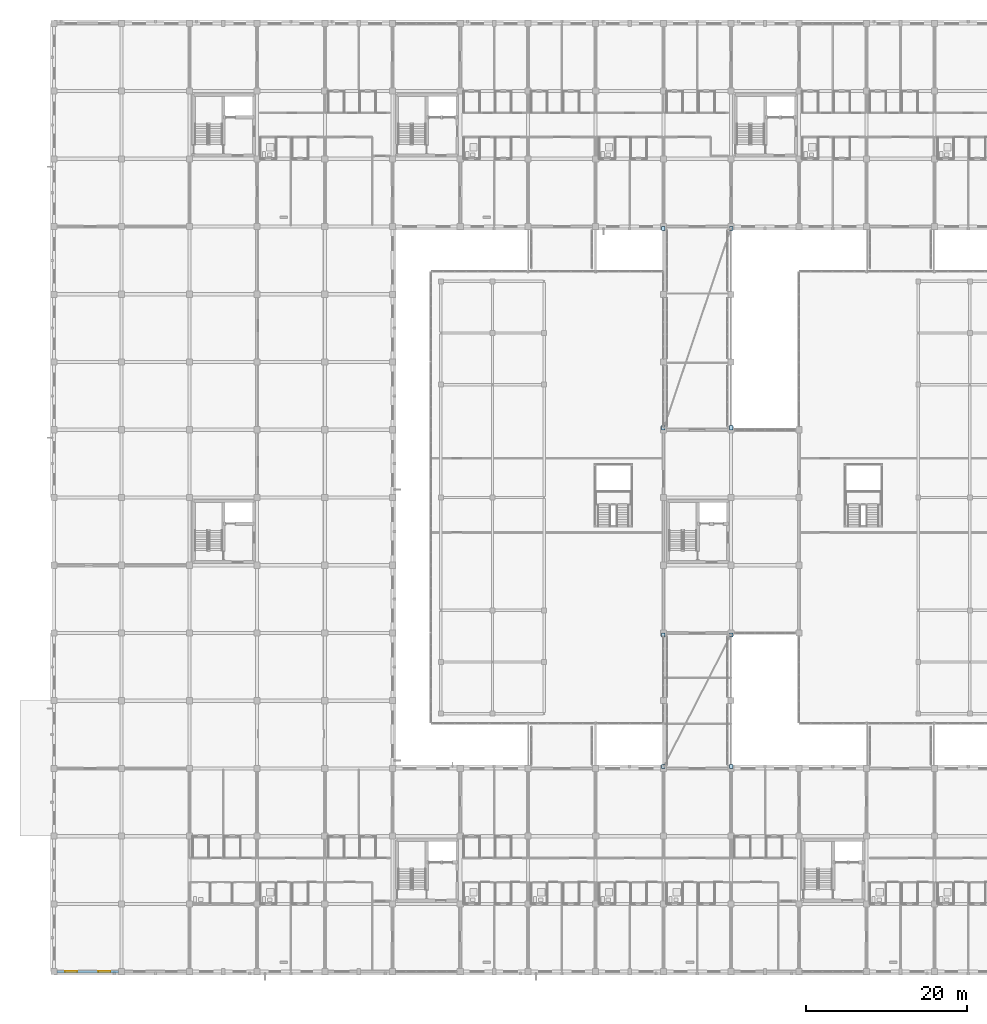
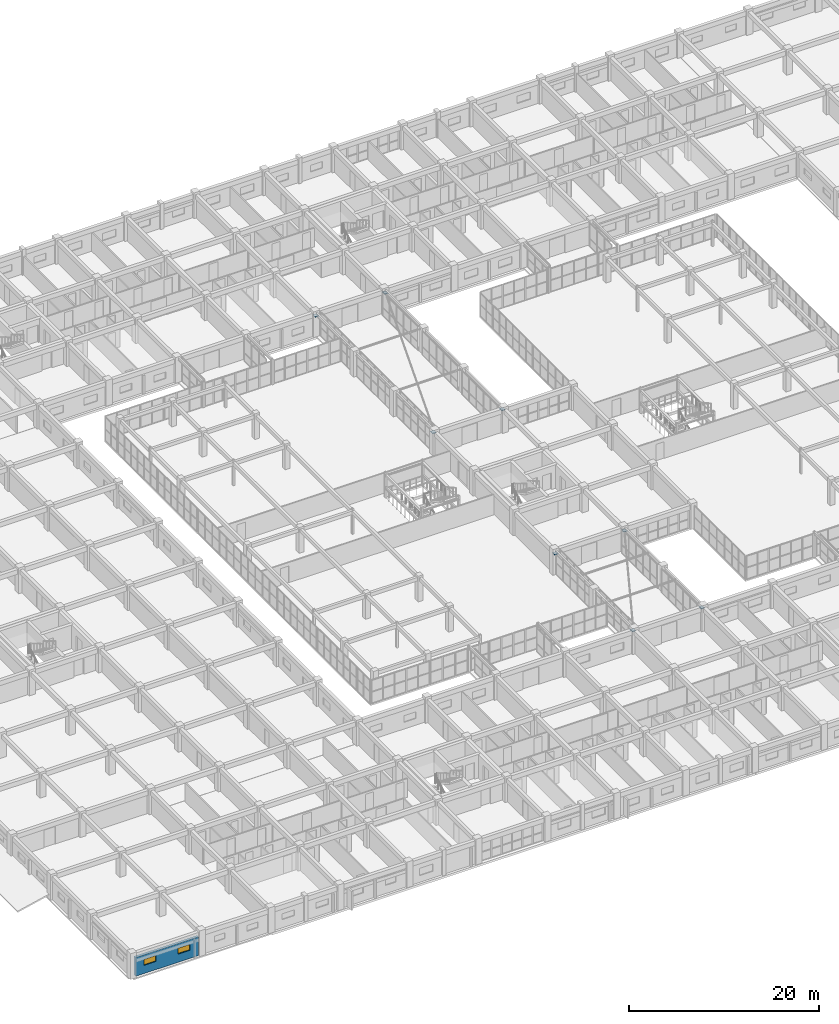
# One storey, part 161 of 200: 8 plates, 2 windows, 1 wall, 2 openings.
"""IFC4 building model written with IfcOpenShell, lengths in metres."""

from ifc_helpers import new_model, si_unit, direction, frame, frame_2d, origin, origin_2d, place, context, subcontext, project, spatial, rectangle, extrude, material, layer, layer_set, type_object, element, fill, save


model = new_model("IFC4")

# Units and contexts
model_context = context("Model", 3, precision=1e-05, world=origin(), true_north=direction((0.0, 1.0)))
body_context = subcontext(model_context, "Body", "Model", "MODEL_VIEW")
ifc_project = project(units=[si_unit("LENGTHUNIT", "METRE"), si_unit("AREAUNIT", "SQUARE_METRE"), si_unit("VOLUMEUNIT", "CUBIC_METRE"), si_unit("PLANEANGLEUNIT", "RADIAN"), si_unit("MASSUNIT", "GRAM", prefix="KILO")], contexts=[model_context])

# Site, building, storey
site_placement = place(None, origin())
site = spatial("IfcSite", under=ifc_project, at=site_placement, CompositionType="ELEMENT")
building_placement = place(site_placement, origin())
building = spatial("IfcBuilding", under=site, at=building_placement, Name="Trelvath General Hospital", CompositionType="ELEMENT")
storey_placement = place(building_placement, frame((0.0, 0.0, 4.800048828125)))
storey = spatial("IfcBuildingStorey", under=building, at=storey_placement, Name="L01", CompositionType="ELEMENT", Elevation=4.800048828125)

# Plates
ifc_material_1 = material(Name="Steel S355", Category="steel")
ifc_layer_1 = layer(ifc_material_1, 0.01611328125)
ifc_layer_set_1 = layer_set([ifc_layer_1], Name="Steel S355")
plate_type = type_object("IfcPlateType", Name="BearingPlate Steel16", PredefinedType="SHEET", material=ifc_layer_set_1)
for number, where, z_axis, x_axis, name in (
    (1, (75.60009765625, 67.449951171875, 2.643798828125), (0.0, 0.0, 1.0), (1.0, 0.0, 0.0), "Bridge Sliding Seat Plate BRG-N-C W-S L02"),
    (2, (75.60009765625, 92.14990234375, 2.643798828125), (0.0, 0.0, 1.0), (1.0, 0.0, 0.0), "Bridge Sliding Seat Plate BRG-N-C W-N L02"),
    (3, (84.0, 67.449951171875, 2.643798828125), (0.0, 0.0, 1.0), (1.0, 0.0, 0.0), "Bridge Sliding Seat Plate BRG-N-C E-S L02"),
    (4, (84.0, 92.14990234375, 2.643798828125), (0.0, 0.0, 1.0), (1.0, 0.0, 0.0), "Bridge Sliding Seat Plate BRG-N-C E-N L02"),
    (5, (75.60009765625, 25.449951171875, 2.643798828125), (0.0, 0.0, 1.0), (1.0, 0.0, 0.0), "Bridge Sliding Seat Plate BRG-S-C W-S L02"),
    (6, (75.60009765625, 41.75, 2.643798828125), (0.0, 0.0, 1.0), (1.0, 0.0, 0.0), "Bridge Sliding Seat Plate BRG-S-C W-N L02"),
    (7, (84.0, 25.449951171875, 2.643798828125), (0.0, 0.0, 1.0), (1.0, 0.0, 0.0), "Bridge Sliding Seat Plate BRG-S-C E-S L02"),
    (8, (84.0, 41.75, 2.643798828125), (0.0, 0.0, 1.0), (1.0, 0.0, 0.0), "Bridge Sliding Seat Plate BRG-S-C E-N L02"),
):
    element("IfcPlate", number, at=place(storey_placement, frame(where, z_axis=z_axis, x_axis=x_axis)), inside=storey, type_object=plate_type, Name=name, PredefinedType="SHEET", context=body_context, shape_type="SweptSolid", body=[
        extrude(rectangle(XDim=0.419921875, YDim=0.5, at=origin_2d()), origin(), (0.0, 0.0, 1.0), 0.01611328125),
    ])

# Wall, openings, windows
ifc_material_2 = material(Name="Concrete C35/45", Category="concrete")
ifc_layer_2 = layer(ifc_material_2, 0.2900390625)
ifc_layer_set_2 = layer_set([ifc_layer_2], Name="Concrete C35/45")
wall_type = type_object("IfcWallType", Name="ExtBushHammeredWall 290", PredefinedType="SOLIDWALL", material=ifc_layer_set_2)
wall_placement = place(storey_placement, frame((8.030029296875, 0.0, 0.0), z_axis=(0.0, 0.0, 1.0), x_axis=(-1.0, 0.0, 0.0)))
wall = element("IfcWall", 9, at=wall_placement, inside=storey, type_object=wall_type, Name="Exterior Concrete Wall L01-108", PredefinedType="SOLIDWALL", context=body_context, shape_type="SweptSolid", body=[
    extrude(rectangle(XDim=7.659912109375, YDim=0.2900390625, at=frame_2d((3.830078125, 0.0))), origin(), (0.0, 0.0, 1.0), 2.419921875),
])
opening_1_placement = place(wall_placement, frame((1.01171875, 0.0, 1.050048828125)))
opening_1 = element("IfcOpeningElement", 10, at=opening_1_placement, cuts=wall, Name="Opening WN-1-149", PredefinedType="OPENING", context=body_context, shape_type="SweptSolid", body=[
    extrude(rectangle(XDim=1.5, YDim=0.75, at=frame_2d((0.75, 0.375))), frame((0.0, 0.155029296875, 0.0), z_axis=(0.0, -1.0, 0.0), x_axis=(1.0, 0.0, 0.0)), (0.0, 0.0, 1.0), 0.31005859375),
])
opening_2_placement = place(wall_placement, frame((5.148193359375, 0.0, 1.050048828125)))
opening_2 = element("IfcOpeningElement", 11, at=opening_2_placement, cuts=wall, Name="Opening WN-1-150", PredefinedType="OPENING", context=body_context, shape_type="SweptSolid", body=[
    extrude(rectangle(XDim=1.5, YDim=0.75, at=frame_2d((0.75, 0.375))), frame((0.0, 0.155029296875, 0.0), z_axis=(0.0, -1.0, 0.0), x_axis=(1.0, 0.0, 0.0)), (0.0, 0.0, 1.0), 0.31005859375),
])
ifc_material_3 = material(Name="Low-E laminated glass", Category="glass")
window_type = type_object("IfcWindowType", Name="Window InterstitialVent 1500x750", PartitioningType="DOUBLE_PANEL_HORIZONTAL", PredefinedType="WINDOW", material=ifc_material_3)
window_1_placement = place(opening_1_placement, origin())
window_1 = element("IfcWindow", 12, at=window_1_placement, inside=storey, type_object=window_type, Name="Solar Reveal Window L01-149", OverallHeight=0.75, OverallWidth=1.5, PartitioningType="SINGLE_PANEL", PredefinedType="WINDOW", context=body_context, shape_type="SweptSolid", body=[
    extrude(rectangle(XDim=1.5, YDim=0.75, at=frame_2d((0.75, 0.375))), frame((0.0, 0.030029296875, 0.0), z_axis=(0.0, -1.0, 0.0), x_axis=(1.0, 0.0, 0.0)), (0.0, 0.0, 1.0), 0.06005859375),
])
fill(opening_1, window_1)
window_2_placement = place(opening_2_placement, origin())
window_2 = element("IfcWindow", 13, at=window_2_placement, inside=storey, type_object=window_type, Name="Solar Reveal Window L01-150", OverallHeight=0.75, OverallWidth=1.5, PartitioningType="SINGLE_PANEL", PredefinedType="WINDOW", context=body_context, shape_type="SweptSolid", body=[
    extrude(rectangle(XDim=1.5, YDim=0.75, at=frame_2d((0.75, 0.375))), frame((0.0, 0.030029296875, 0.0), z_axis=(0.0, -1.0, 0.0), x_axis=(1.0, 0.0, 0.0)), (0.0, 0.0, 1.0), 0.06005859375),
])
fill(opening_2, window_2)

save(model, "model.ifc")
